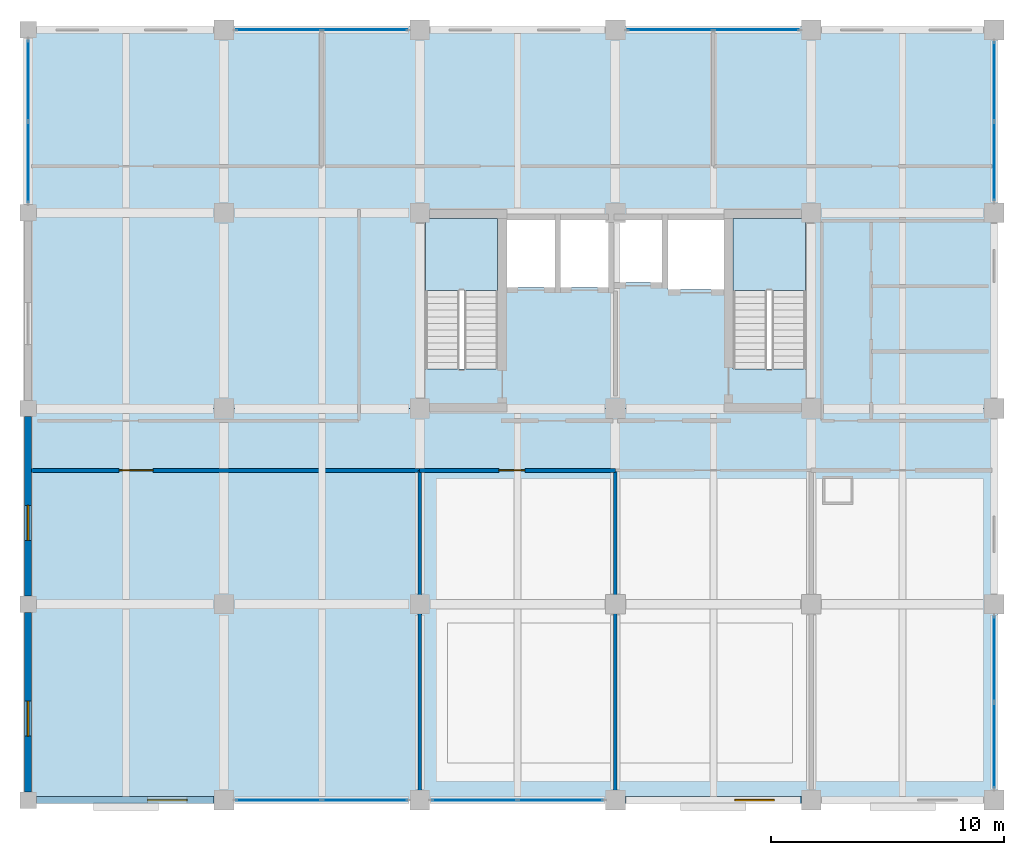
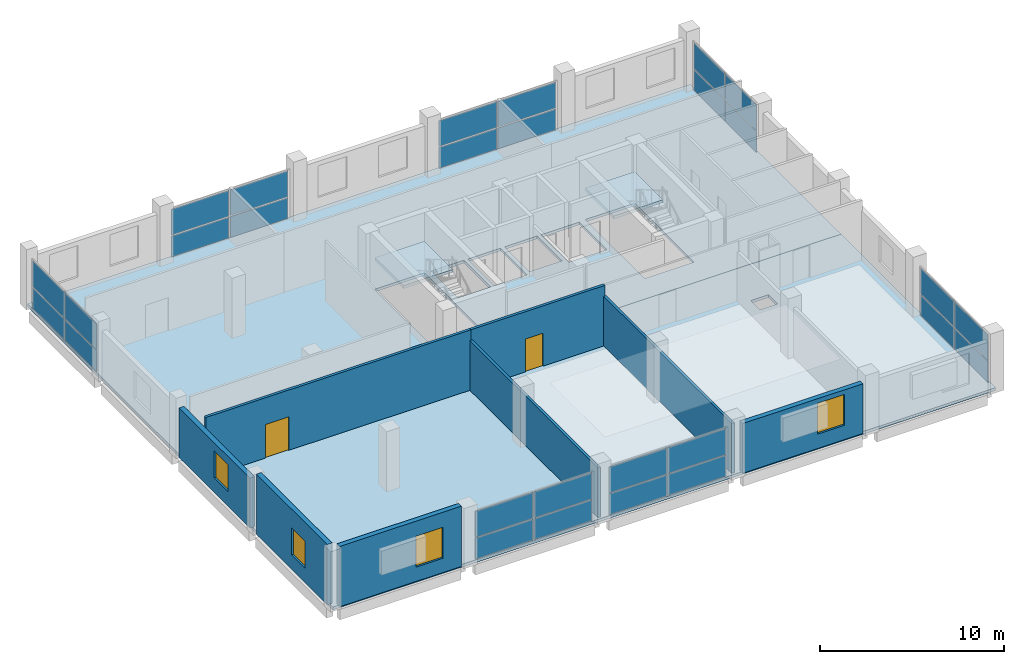
# One storey, part 6 of 11: 28 plates, 8 walls, 4 slabs, 4 windows, 2 doors, 6 openings, 9 elements without a shape of their own.
"""IFC4 building model written with IfcOpenShell, lengths in metres."""

import ifcopenshell
import ifcopenshell.guid

model = None  # the IFC model being written
_history = None  # IfcOwnerHistory: only IFC2X3 demands one
_inside = {}  # id of a spatial element -> (the spatial element, [elements in it])
_under = {}  # id of a project, library or spatial element -> (it, [spatial elements below it])
_declared = {}  # id of a project -> (the project, [libraries it declares])
_typed = {}  # id of a type object -> (the type object, [elements of that type])
_made_of = {}  # id of a material, layer set ... -> (it, [elements and type objects made of it])


def new_model(schema):
    """Start an empty IFC model of exactly this schema.

    Asked for "IFC4X3", IfcOpenShell would pick the latest addendum, in which some entities
    have other attributes; the version numbers below select the first issue.
    IFC2X3 requires an IfcOwnerHistory on every rooted entity: one is made here for all.
    """
    global model, _history
    if schema == "IFC4X3":
        model = ifcopenshell.file(schema_version=(4, 3, 0, 0))
    else:
        model = ifcopenshell.file(schema=schema)
    _inside.clear()
    _under.clear()
    _declared.clear()
    _typed.clear()
    _made_of.clear()
    _history = None
    if model.schema == "IFC2X3":
        org = make("IfcOrganization", Name="unknown")
        user = make(
            "IfcPersonAndOrganization",
            ThePerson=make("IfcPerson", FamilyName="unknown"),
            TheOrganization=org,
        )
        app = make(
            "IfcApplication",
            ApplicationDeveloper=org,
            Version="unknown",
            ApplicationFullName="unknown",
            ApplicationIdentifier="unknown",
        )
        _history = make(
            "IfcOwnerHistory",
            OwningUser=user,
            OwningApplication=app,
            ChangeAction="ADDED",
            CreationDate=0,
        )
    return model


def make(cls, **values):
    """One entity of the class cls with the attributes given. An attribute that is None is left unset."""
    return model.create_entity(
        cls, **{name: value for name, value in values.items() if value is not None}
    )


def rooted(cls, **values):
    """An entity with a GlobalId (a new one), such as an element, a storey or a relation."""
    return make(cls, GlobalId=ifcopenshell.guid.new(), OwnerHistory=_history, **values)


def si_unit(unit_type, name, prefix=None):
    """IfcSIUnit, for example si_unit("LENGTHUNIT", "METRE", prefix="MILLI")."""
    return make("IfcSIUnit", UnitType=unit_type, Prefix=prefix, Name=name)


def assignment(units):
    """IfcUnitAssignment: the units of a project."""
    return None if units is None else make("IfcUnitAssignment", Units=units)


def point(xyz):
    """IfcCartesianPoint."""
    return None if xyz is None else make("IfcCartesianPoint", Coordinates=xyz)


def direction(xyz):
    """IfcDirection."""
    return None if xyz is None else make("IfcDirection", DirectionRatios=xyz)


def frame(location, z_axis=None, x_axis=None):
    """IfcAxis2Placement3D, a coordinate frame: its origin and axes. An axis left out is left unset."""
    return make(
        "IfcAxis2Placement3D",
        Location=point(location),
        Axis=direction(z_axis),
        RefDirection=direction(x_axis),
    )


def frame_2d(location, x_axis=None):
    """IfcAxis2Placement2D, a coordinate frame in the plane: its origin and x axis."""
    return make(
        "IfcAxis2Placement2D", Location=point(location), RefDirection=direction(x_axis)
    )


def origin():
    """The frame at (0, 0, 0) with its axes left unset."""
    return frame((0.0, 0.0, 0.0))


def origin_2d():
    """The frame at (0, 0) in the plane with its x axis left unset."""
    return frame_2d((0.0, 0.0))


def place(relative_to, where):
    """IfcLocalPlacement: puts the frame where relative to a parent placement (None: the world)."""
    return make(
        "IfcLocalPlacement", PlacementRelTo=relative_to, RelativePlacement=where
    )


def context(
    kind, dimensions, precision=None, world=None, true_north=None, identifier=None
):
    """IfcGeometricRepresentationContext, for example the 3D "Model" context."""
    return make(
        "IfcGeometricRepresentationContext",
        ContextIdentifier=identifier,
        ContextType=kind,
        CoordinateSpaceDimension=dimensions,
        Precision=precision,
        WorldCoordinateSystem=world,
        TrueNorth=true_north,
    )


def subcontext(parent, identifier, kind, view, scale=None):
    """IfcGeometricRepresentationSubContext, for example "Body" below "Model"."""
    return make(
        "IfcGeometricRepresentationSubContext",
        ContextIdentifier=identifier,
        ContextType=kind,
        ParentContext=parent,
        TargetScale=scale,
        TargetView=view,
    )


def project(units=None, contexts=None):
    """IfcProject with its units and contexts."""
    return rooted(
        "IfcProject",
        Name="project",
        RepresentationContexts=contexts,
        UnitsInContext=assignment(units),
    )


def spatial(cls, under=None, at=None, **own):
    """A site, building, storey or space (cls), placed at a placement, below another one or the project."""
    s = rooted(cls, ObjectPlacement=at, **own)
    if under is not None:
        _under.setdefault(under.id(), (under, []))[1].append(s)
    return s


def polyline(points):
    """IfcPolyline through the points."""
    return make("IfcPolyline", Points=[point(p) for p in points])


def profile(cls, at=None, kind="AREA", **sizes):
    """A parametric profile (cls). Its sizes go by their IFC names, for example OverallWidth=200.0."""
    return make(cls, ProfileType=kind, Position=at, **sizes)


def rectangle(**sizes):
    """IfcRectangleProfileDef."""
    return profile("IfcRectangleProfileDef", **sizes)


def outline(outer, holes=None, kind="AREA"):
    """IfcArbitraryClosedProfileDef: a profile drawn as a closed curve; with holes, ...WithVoids."""
    if holes is None:
        return make("IfcArbitraryClosedProfileDef", ProfileType=kind, OuterCurve=outer)
    return make(
        "IfcArbitraryProfileDefWithVoids",
        ProfileType=kind,
        OuterCurve=outer,
        InnerCurves=holes,
    )


def extrude(swept, where, along, depth):
    """IfcExtrudedAreaSolid: the profile swept, set in the frame where, extruded along a direction by depth."""
    return make(
        "IfcExtrudedAreaSolid",
        SweptArea=swept,
        Position=where,
        ExtrudedDirection=direction(along),
        Depth=depth,
    )


def shape(context_of_items, identifier, shape_type, items):
    """IfcShapeRepresentation: the items that make up one representation, for example the "Body"."""
    return make(
        "IfcShapeRepresentation",
        ContextOfItems=context_of_items,
        RepresentationIdentifier=identifier,
        RepresentationType=shape_type,
        Items=items,
    )


def material(Name=None, Category=None):
    """IfcMaterial."""
    return make("IfcMaterial", Name=Name, Category=Category)


def layer(
    of_material, thickness, ventilated=None, Name=None, Category=None, Priority=None
):
    """IfcMaterialLayer: one layer of a wall or slab, of a material (None: an air gap)."""
    return make(
        "IfcMaterialLayer",
        Material=of_material,
        LayerThickness=thickness,
        IsVentilated=ventilated,
        Name=Name,
        Category=Category,
        Priority=Priority,
    )


def layer_set(layers, Name=None):
    """IfcMaterialLayerSet."""
    return make("IfcMaterialLayerSet", MaterialLayers=layers, LayerSetName=Name)


def made_of(thing, what):
    """Note that an element or type object is made of a material, layer set ...; save() writes the relation."""
    if what is not None:
        _made_of.setdefault(what.id(), (what, []))[1].append(thing)
    return thing


def type_object(cls, material=None, **own):
    """A type object (cls), such as IfcWallType, which elements share."""
    return made_of(rooted(cls, **own), material)


def element(
    cls,
    number,
    at=None,
    inside=None,
    cuts=None,
    type_object=None,
    material=None,
    context=None,
    identifier="Body",
    shape_type=None,
    held_by="IfcProductDefinitionShape",
    body=None,
    shapes=None,
    **own,
):
    """One element of the class cls, such as IfcWall. Its Tag is "e" and its number.

    at: its placement. inside: the storey or other place that contains it. cuts: it is an
    opening in that element (IfcRelVoidsElement). A single representation is given by context,
    identifier, shape_type and body (its items); several are given by shapes. held_by: the class
    of the entity that holds the representations. save() writes the other relations.
    """
    e = rooted(cls, Tag="e%d" % number, ObjectPlacement=at, **own)
    if body is not None:
        shapes = [shape(context, identifier, shape_type, body)]
    if shapes is not None:
        e.Representation = make(held_by, Representations=shapes)
    if inside is not None:
        _inside.setdefault(inside.id(), (inside, []))[1].append(e)
    if cuts is not None:
        rooted(
            "IfcRelVoidsElement", RelatingBuildingElement=cuts, RelatedOpeningElement=e
        )
    if type_object is not None:
        _typed.setdefault(type_object.id(), (type_object, []))[1].append(e)
    return made_of(e, material)


def fill(opening, filler):
    """IfcRelFillsElement: the door or window that sits in an opening."""
    return rooted(
        "IfcRelFillsElement",
        RelatingOpeningElement=opening,
        RelatedBuildingElement=filler,
    )


def aggregate(whole, parts):
    """IfcRelAggregates: a whole, such as a stair, and the parts it consists of."""
    return rooted("IfcRelAggregates", RelatingObject=whole, RelatedObjects=parts)


def save(model, path):
    """Write the relations noted so far, then the file.

    IfcRelAggregates (storeys below a building ...), IfcRelContainedInSpatialStructure (elements
    in a storey), IfcRelDefinesByType, IfcRelAssociatesMaterial and IfcRelDeclares: one each for
    every whole, place, type object, material and project.
    """
    for whole, parts in _under.values():
        aggregate(whole, parts)
    for where, things in _inside.values():
        rooted(
            "IfcRelContainedInSpatialStructure",
            RelatedElements=things,
            RelatingStructure=where,
        )
    for kind, things in _typed.values():
        rooted("IfcRelDefinesByType", RelatedObjects=things, RelatingType=kind)
    for what, things in _made_of.values():
        rooted("IfcRelAssociatesMaterial", RelatedObjects=things, RelatingMaterial=what)
    for by, libraries in _declared.values():
        rooted("IfcRelDeclares", RelatingContext=by, RelatedDefinitions=libraries)
    model.write(path)


model = new_model("IFC4")

# Units and contexts
model_context = context("Model", 3, precision=1e-05, world=origin(), true_north=direction((0.0, 1.0)))
body_context = subcontext(model_context, "Body", "Model", "MODEL_VIEW")
ifc_project = project(units=[si_unit("LENGTHUNIT", "METRE"), si_unit("AREAUNIT", "SQUARE_METRE"), si_unit("VOLUMEUNIT", "CUBIC_METRE"), si_unit("PLANEANGLEUNIT", "RADIAN"), si_unit("MASSUNIT", "GRAM", prefix="KILO")], contexts=[model_context])

# Site, building, storey
site_placement = place(None, origin())
site = spatial("IfcSite", under=ifc_project, at=site_placement, CompositionType="ELEMENT")
building_placement = place(site_placement, origin())
building = spatial("IfcBuilding", under=site, at=building_placement, Name="Brinegate Botanical Conservatory", CompositionType="ELEMENT")
storey_placement = place(building_placement, frame((0.0, 0.0, 23.39990234375)))
storey = spatial("IfcBuildingStorey", under=building, at=storey_placement, Name="L06", CompositionType="ELEMENT", Elevation=23.39990234375)

# Curtain wall, plates
ifc_material_1 = material(Name="Thermally broken anodised aluminium AW-6063-T6", Category="aluminium")
curtain_wall_type = type_object("IfcCurtainWallType", Name="CW_CW-TW1", PredefinedType="USERDEFINED", material=ifc_material_1)
curtain_wall_1_placement = place(storey_placement, origin())
curtain_wall_1 = element("IfcCurtainWall", 1, at=curtain_wall_1_placement, inside=storey, type_object=curtain_wall_type, Name="Research lab north curtain wall L06.2", ObjectType="FACTORY CURTAIN WALL", PredefinedType="USERDEFINED")
ifc_material_2 = material(Name="Double-silver Low-E laminated safety glass", Category="glass")
ifc_layer_1 = layer(ifc_material_2, 0.035888671875, Name="Double-silver Low-E laminated safety glass", Category="glass")
ifc_layer_set_1 = layer_set([ifc_layer_1], Name="Double-silver Low-E laminated safety glass")
plate_type = type_object("IfcPlateType", Name="Plate_PN-36", PredefinedType="CURTAIN_PANEL", material=ifc_layer_set_1)
plate_1_placement = place(storey_placement, frame((132.75, 111.449951171875, 0.070068359375), z_axis=(0.0, 0.0, 1.0), x_axis=(1.0, 0.0, 0.0)))
plate_1 = element("IfcPlate", 2, at=plate_1_placement, type_object=plate_type, Name="CW-TW1 panel 1.1", PredefinedType="CURTAIN_PANEL", context=body_context, shape_type="SweptSolid", body=[
    extrude(rectangle(XDim=3.6298828125, YDim=0.035888671875, at=origin_2d()), origin(), (0.0, 0.0, 1.0), 1.3798828125),
])
plate_2_placement = place(storey_placement, frame((132.75, 111.449951171875, 1.52001953125), z_axis=(0.0, 0.0, 1.0), x_axis=(1.0, 0.0, 0.0)))
plate_2 = element("IfcPlate", 3, at=plate_2_placement, type_object=plate_type, Name="CW-TW1 panel 1.2", PredefinedType="CURTAIN_PANEL", context=body_context, shape_type="SweptSolid", body=[
    extrude(rectangle(XDim=3.6298828125, YDim=0.035888671875, at=origin_2d()), origin(), (0.0, 0.0, 1.0), 1.7099609375),
])
plate_3_placement = place(storey_placement, frame((136.449951171875, 111.449951171875, 0.070068359375), z_axis=(0.0, 0.0, 1.0), x_axis=(1.0, 0.0, 0.0)))
plate_3 = element("IfcPlate", 4, at=plate_3_placement, type_object=plate_type, Name="CW-TW1 panel 2.1", PredefinedType="CURTAIN_PANEL", context=body_context, shape_type="SweptSolid", body=[
    extrude(rectangle(XDim=3.6298828125, YDim=0.035888671875, at=origin_2d()), origin(), (0.0, 0.0, 1.0), 1.3798828125),
])
plate_4_placement = place(storey_placement, frame((136.449951171875, 111.449951171875, 1.52001953125), z_axis=(0.0, 0.0, 1.0), x_axis=(1.0, 0.0, 0.0)))
plate_4 = element("IfcPlate", 5, at=plate_4_placement, type_object=plate_type, Name="CW-TW1 panel 2.2", PredefinedType="CURTAIN_PANEL", context=body_context, shape_type="SweptSolid", body=[
    extrude(rectangle(XDim=3.6298828125, YDim=0.035888671875, at=origin_2d()), origin(), (0.0, 0.0, 1.0), 1.7099609375),
])
aggregate(curtain_wall_1, [plate_1, plate_2, plate_3, plate_4])

curtain_wall_2_placement = place(storey_placement, origin())
curtain_wall_2 = element("IfcCurtainWall", 6, at=curtain_wall_2_placement, inside=storey, type_object=curtain_wall_type, Name="Research lab north curtain wall L06.4", ObjectType="FACTORY CURTAIN WALL", PredefinedType="USERDEFINED")
plate_5_placement = place(storey_placement, frame((149.550048828125, 111.449951171875, 0.070068359375), z_axis=(0.0, 0.0, 1.0), x_axis=(1.0, 0.0, 0.0)))
plate_5 = element("IfcPlate", 7, at=plate_5_placement, type_object=plate_type, Name="CW-TW1 panel 1.1", PredefinedType="CURTAIN_PANEL", context=body_context, shape_type="SweptSolid", body=[
    extrude(rectangle(XDim=3.6298828125, YDim=0.035888671875, at=origin_2d()), origin(), (0.0, 0.0, 1.0), 1.3798828125),
])
plate_6_placement = place(storey_placement, frame((149.550048828125, 111.449951171875, 1.52001953125), z_axis=(0.0, 0.0, 1.0), x_axis=(1.0, 0.0, 0.0)))
plate_6 = element("IfcPlate", 8, at=plate_6_placement, type_object=plate_type, Name="CW-TW1 panel 1.2", PredefinedType="CURTAIN_PANEL", context=body_context, shape_type="SweptSolid", body=[
    extrude(rectangle(XDim=3.6298828125, YDim=0.035888671875, at=origin_2d()), origin(), (0.0, 0.0, 1.0), 1.7099609375),
])
plate_7_placement = place(storey_placement, frame((153.25, 111.449951171875, 0.070068359375), z_axis=(0.0, 0.0, 1.0), x_axis=(1.0, 0.0, 0.0)))
plate_7 = element("IfcPlate", 9, at=plate_7_placement, type_object=plate_type, Name="CW-TW1 panel 2.1", PredefinedType="CURTAIN_PANEL", context=body_context, shape_type="SweptSolid", body=[
    extrude(rectangle(XDim=3.6298828125, YDim=0.035888671875, at=origin_2d()), origin(), (0.0, 0.0, 1.0), 1.3798828125),
])
plate_8_placement = place(storey_placement, frame((153.25, 111.449951171875, 1.52001953125), z_axis=(0.0, 0.0, 1.0), x_axis=(1.0, 0.0, 0.0)))
plate_8 = element("IfcPlate", 10, at=plate_8_placement, type_object=plate_type, Name="CW-TW1 panel 2.2", PredefinedType="CURTAIN_PANEL", context=body_context, shape_type="SweptSolid", body=[
    extrude(rectangle(XDim=3.6298828125, YDim=0.035888671875, at=origin_2d()), origin(), (0.0, 0.0, 1.0), 1.7099609375),
])
aggregate(curtain_wall_2, [plate_5, plate_6, plate_7, plate_8])

curtain_wall_3_placement = place(storey_placement, origin())
curtain_wall_3 = element("IfcCurtainWall", 11, at=curtain_wall_3_placement, inside=storey, type_object=curtain_wall_type, Name="Tower south curtain wall L06.2", ObjectType="FACTORY CURTAIN WALL", PredefinedType="USERDEFINED")
plate_9_placement = place(storey_placement, frame((136.449951171875, 78.39990234375, 0.070068359375), z_axis=(0.0, 0.0, 1.0), x_axis=(-1.0, 0.0, 0.0)))
plate_9 = element("IfcPlate", 12, at=plate_9_placement, type_object=plate_type, Name="CW-TW1 panel 1.1", PredefinedType="CURTAIN_PANEL", context=body_context, shape_type="SweptSolid", body=[
    extrude(rectangle(XDim=3.6298828125, YDim=0.035888671875, at=origin_2d()), origin(), (0.0, 0.0, 1.0), 1.3798828125),
])
plate_10_placement = place(storey_placement, frame((136.449951171875, 78.39990234375, 1.52001953125), z_axis=(0.0, 0.0, 1.0), x_axis=(-1.0, 0.0, 0.0)))
plate_10 = element("IfcPlate", 13, at=plate_10_placement, type_object=plate_type, Name="CW-TW1 panel 1.2", PredefinedType="CURTAIN_PANEL", context=body_context, shape_type="SweptSolid", body=[
    extrude(rectangle(XDim=3.6298828125, YDim=0.035888671875, at=origin_2d()), origin(), (0.0, 0.0, 1.0), 1.7099609375),
])
plate_11_placement = place(storey_placement, frame((132.75, 78.39990234375, 0.070068359375), z_axis=(0.0, 0.0, 1.0), x_axis=(-1.0, 0.0, 0.0)))
plate_11 = element("IfcPlate", 14, at=plate_11_placement, type_object=plate_type, Name="CW-TW1 panel 2.1", PredefinedType="CURTAIN_PANEL", context=body_context, shape_type="SweptSolid", body=[
    extrude(rectangle(XDim=3.6298828125, YDim=0.035888671875, at=origin_2d()), origin(), (0.0, 0.0, 1.0), 1.3798828125),
])
plate_12_placement = place(storey_placement, frame((132.75, 78.39990234375, 1.52001953125), z_axis=(0.0, 0.0, 1.0), x_axis=(-1.0, 0.0, 0.0)))
plate_12 = element("IfcPlate", 15, at=plate_12_placement, type_object=plate_type, Name="CW-TW1 panel 2.2", PredefinedType="CURTAIN_PANEL", context=body_context, shape_type="SweptSolid", body=[
    extrude(rectangle(XDim=3.6298828125, YDim=0.035888671875, at=origin_2d()), origin(), (0.0, 0.0, 1.0), 1.7099609375),
])
aggregate(curtain_wall_3, [plate_9, plate_10, plate_11, plate_12])

curtain_wall_4_placement = place(storey_placement, origin())
curtain_wall_4 = element("IfcCurtainWall", 16, at=curtain_wall_4_placement, inside=storey, type_object=curtain_wall_type, Name="Tower south curtain wall L06.3", ObjectType="FACTORY CURTAIN WALL", PredefinedType="USERDEFINED")
plate_13_placement = place(storey_placement, frame((144.85009765625, 78.39990234375, 0.070068359375), z_axis=(0.0, 0.0, 1.0), x_axis=(-1.0, 0.0, 0.0)))
plate_13 = element("IfcPlate", 17, at=plate_13_placement, type_object=plate_type, Name="CW-TW1 panel 1.1", PredefinedType="CURTAIN_PANEL", context=body_context, shape_type="SweptSolid", body=[
    extrude(rectangle(XDim=3.6298828125, YDim=0.035888671875, at=origin_2d()), origin(), (0.0, 0.0, 1.0), 1.3798828125),
])
plate_14_placement = place(storey_placement, frame((144.85009765625, 78.39990234375, 1.52001953125), z_axis=(0.0, 0.0, 1.0), x_axis=(-1.0, 0.0, 0.0)))
plate_14 = element("IfcPlate", 18, at=plate_14_placement, type_object=plate_type, Name="CW-TW1 panel 1.2", PredefinedType="CURTAIN_PANEL", context=body_context, shape_type="SweptSolid", body=[
    extrude(rectangle(XDim=3.6298828125, YDim=0.035888671875, at=origin_2d()), origin(), (0.0, 0.0, 1.0), 1.7099609375),
])
plate_15_placement = place(storey_placement, frame((141.14990234375, 78.39990234375, 0.070068359375), z_axis=(0.0, 0.0, 1.0), x_axis=(-1.0, 0.0, 0.0)))
plate_15 = element("IfcPlate", 19, at=plate_15_placement, type_object=plate_type, Name="CW-TW1 panel 2.1", PredefinedType="CURTAIN_PANEL", context=body_context, shape_type="SweptSolid", body=[
    extrude(rectangle(XDim=3.6298828125, YDim=0.035888671875, at=origin_2d()), origin(), (0.0, 0.0, 1.0), 1.3798828125),
])
plate_16_placement = place(storey_placement, frame((141.14990234375, 78.39990234375, 1.52001953125), z_axis=(0.0, 0.0, 1.0), x_axis=(-1.0, 0.0, 0.0)))
plate_16 = element("IfcPlate", 20, at=plate_16_placement, type_object=plate_type, Name="CW-TW1 panel 2.2", PredefinedType="CURTAIN_PANEL", context=body_context, shape_type="SweptSolid", body=[
    extrude(rectangle(XDim=3.6298828125, YDim=0.035888671875, at=origin_2d()), origin(), (0.0, 0.0, 1.0), 1.7099609375),
])
aggregate(curtain_wall_4, [plate_13, plate_14, plate_15, plate_16])

curtain_wall_5_placement = place(storey_placement, origin())
curtain_wall_5 = element("IfcCurtainWall", 21, at=curtain_wall_5_placement, inside=storey, type_object=curtain_wall_type, Name="Tower east curtain wall L06.1", ObjectType="FACTORY CURTAIN WALL", PredefinedType="USERDEFINED")
plate_17_placement = place(storey_placement, frame((163.449951171875, 84.449951171875, 0.070068359375), z_axis=(0.0, 0.0, 1.0), x_axis=(0.0, -1.0, 0.0)))
plate_17 = element("IfcPlate", 22, at=plate_17_placement, type_object=plate_type, Name="CW-TW1 panel 1.1", PredefinedType="CURTAIN_PANEL", context=body_context, shape_type="SweptSolid", body=[
    extrude(rectangle(XDim=3.6298828125, YDim=0.035888671875, at=origin_2d()), origin(), (0.0, 0.0, 1.0), 1.3798828125),
])
plate_18_placement = place(storey_placement, frame((163.449951171875, 84.449951171875, 1.52001953125), z_axis=(0.0, 0.0, 1.0), x_axis=(0.0, -1.0, 0.0)))
plate_18 = element("IfcPlate", 23, at=plate_18_placement, type_object=plate_type, Name="CW-TW1 panel 1.2", PredefinedType="CURTAIN_PANEL", context=body_context, shape_type="SweptSolid", body=[
    extrude(rectangle(XDim=3.6298828125, YDim=0.035888671875, at=origin_2d()), origin(), (0.0, 0.0, 1.0), 1.7099609375),
])
plate_19_placement = place(storey_placement, frame((163.449951171875, 80.75, 0.070068359375), z_axis=(0.0, 0.0, 1.0), x_axis=(0.0, -1.0, 0.0)))
plate_19 = element("IfcPlate", 24, at=plate_19_placement, type_object=plate_type, Name="CW-TW1 panel 2.1", PredefinedType="CURTAIN_PANEL", context=body_context, shape_type="SweptSolid", body=[
    extrude(rectangle(XDim=3.6298828125, YDim=0.035888671875, at=origin_2d()), origin(), (0.0, 0.0, 1.0), 1.3798828125),
])
plate_20_placement = place(storey_placement, frame((163.449951171875, 80.75, 1.52001953125), z_axis=(0.0, 0.0, 1.0), x_axis=(0.0, -1.0, 0.0)))
plate_20 = element("IfcPlate", 25, at=plate_20_placement, type_object=plate_type, Name="CW-TW1 panel 2.2", PredefinedType="CURTAIN_PANEL", context=body_context, shape_type="SweptSolid", body=[
    extrude(rectangle(XDim=3.6298828125, YDim=0.035888671875, at=origin_2d()), origin(), (0.0, 0.0, 1.0), 1.7099609375),
])
aggregate(curtain_wall_5, [plate_17, plate_18, plate_19, plate_20])

curtain_wall_6_placement = place(storey_placement, origin())
curtain_wall_6 = element("IfcCurtainWall", 26, at=curtain_wall_6_placement, inside=storey, type_object=curtain_wall_type, Name="Tower east curtain wall L06.4", ObjectType="FACTORY CURTAIN WALL", PredefinedType="USERDEFINED")
plate_21_placement = place(storey_placement, frame((163.449951171875, 109.237548828125, 0.070068359375), z_axis=(0.0, 0.0, 1.0), x_axis=(0.0, -1.0, 0.0)))
plate_21 = element("IfcPlate", 27, at=plate_21_placement, type_object=plate_type, Name="CW-TW1 panel 1.1", PredefinedType="CURTAIN_PANEL", context=body_context, shape_type="SweptSolid", body=[
    extrude(rectangle(XDim=3.35498046875, YDim=0.035888671875, at=origin_2d()), origin(), (0.0, 0.0, 1.0), 1.3798828125),
])
plate_22_placement = place(storey_placement, frame((163.449951171875, 109.237548828125, 1.52001953125), z_axis=(0.0, 0.0, 1.0), x_axis=(0.0, -1.0, 0.0)))
plate_22 = element("IfcPlate", 28, at=plate_22_placement, type_object=plate_type, Name="CW-TW1 panel 1.2", PredefinedType="CURTAIN_PANEL", context=body_context, shape_type="SweptSolid", body=[
    extrude(rectangle(XDim=3.35498046875, YDim=0.035888671875, at=origin_2d()), origin(), (0.0, 0.0, 1.0), 1.7099609375),
])
plate_23_placement = place(storey_placement, frame((163.449951171875, 105.8125, 0.070068359375), z_axis=(0.0, 0.0, 1.0), x_axis=(0.0, -1.0, 0.0)))
plate_23 = element("IfcPlate", 29, at=plate_23_placement, type_object=plate_type, Name="CW-TW1 panel 2.1", PredefinedType="CURTAIN_PANEL", context=body_context, shape_type="SweptSolid", body=[
    extrude(rectangle(XDim=3.35498046875, YDim=0.035888671875, at=origin_2d()), origin(), (0.0, 0.0, 1.0), 1.3798828125),
])
plate_24_placement = place(storey_placement, frame((163.449951171875, 105.8125, 1.52001953125), z_axis=(0.0, 0.0, 1.0), x_axis=(0.0, -1.0, 0.0)))
plate_24 = element("IfcPlate", 30, at=plate_24_placement, type_object=plate_type, Name="CW-TW1 panel 2.2", PredefinedType="CURTAIN_PANEL", context=body_context, shape_type="SweptSolid", body=[
    extrude(rectangle(XDim=3.35498046875, YDim=0.035888671875, at=origin_2d()), origin(), (0.0, 0.0, 1.0), 1.7099609375),
])
aggregate(curtain_wall_6, [plate_21, plate_22, plate_23, plate_24])

curtain_wall_7_placement = place(storey_placement, origin())
curtain_wall_7 = element("IfcCurtainWall", 31, at=curtain_wall_7_placement, inside=storey, type_object=curtain_wall_type, Name="Tower north-west curtain wall L06", ObjectType="FACTORY CURTAIN WALL", PredefinedType="USERDEFINED")
plate_25_placement = place(storey_placement, frame((122.0, 105.77490234375, 0.070068359375), z_axis=(0.0, 0.0, 1.0), x_axis=(0.0, 1.0, 0.0)))
plate_25 = element("IfcPlate", 32, at=plate_25_placement, type_object=plate_type, Name="CW-TW1 panel 1.1", PredefinedType="CURTAIN_PANEL", context=body_context, shape_type="SweptSolid", body=[
    extrude(rectangle(XDim=3.429931640625, YDim=0.035888671875, at=origin_2d()), origin(), (0.0, 0.0, 1.0), 1.3798828125),
])
plate_26_placement = place(storey_placement, frame((122.0, 105.77490234375, 1.52001953125), z_axis=(0.0, 0.0, 1.0), x_axis=(0.0, 1.0, 0.0)))
plate_26 = element("IfcPlate", 33, at=plate_26_placement, type_object=plate_type, Name="CW-TW1 panel 1.2", PredefinedType="CURTAIN_PANEL", context=body_context, shape_type="SweptSolid", body=[
    extrude(rectangle(XDim=3.429931640625, YDim=0.035888671875, at=origin_2d()), origin(), (0.0, 0.0, 1.0), 1.7099609375),
])
plate_27_placement = place(storey_placement, frame((122.0, 109.27490234375, 0.070068359375), z_axis=(0.0, 0.0, 1.0), x_axis=(0.0, 1.0, 0.0)))
plate_27 = element("IfcPlate", 34, at=plate_27_placement, type_object=plate_type, Name="CW-TW1 panel 2.1", PredefinedType="CURTAIN_PANEL", context=body_context, shape_type="SweptSolid", body=[
    extrude(rectangle(XDim=3.429931640625, YDim=0.035888671875, at=origin_2d()), origin(), (0.0, 0.0, 1.0), 1.3798828125),
])
plate_28_placement = place(storey_placement, frame((122.0, 109.27490234375, 1.52001953125), z_axis=(0.0, 0.0, 1.0), x_axis=(0.0, 1.0, 0.0)))
plate_28 = element("IfcPlate", 35, at=plate_28_placement, type_object=plate_type, Name="CW-TW1 panel 2.2", PredefinedType="CURTAIN_PANEL", context=body_context, shape_type="SweptSolid", body=[
    extrude(rectangle(XDim=3.429931640625, YDim=0.035888671875, at=origin_2d()), origin(), (0.0, 0.0, 1.0), 1.7099609375),
])
aggregate(curtain_wall_7, [plate_25, plate_26, plate_27, plate_28])

# Slabs
ifc_material_3 = material(Name="Concrete C40/50", Category="concrete")
ifc_layer_2 = layer(ifc_material_3, 0.179931640625, Name="Concrete C40/50", Category="concrete")
ifc_layer_set_2 = layer_set([ifc_layer_2], Name="Concrete C40/50")
slab_type_1 = type_object("IfcSlabType", Name="Slab_SL-FL180", PredefinedType="FLOOR", material=ifc_layer_set_2)
slab_1_placement = place(storey_placement, frame((0.0, 0.0, -0.179931640625)))
element("IfcSlab", 36, at=slab_1_placement, inside=storey, type_object=slab_type_1, Name="Research Tower L06 north structural floor slab", PredefinedType="FLOOR", context=body_context, shape_type="SweptSolid", body=[
    extrude(outline(polyline([(122.0, 111.60009765625), (163.60009765625, 111.60009765625), (163.60009765625, 95.199951171875), (122.0, 95.199951171875), (122.0, 111.60009765625)]), holes=[polyline([(142.14990234375, 96.89990234375), (142.14990234375, 103.35009765625), (139.050048828125, 103.35009765625), (139.050048828125, 96.89990234375), (142.14990234375, 96.89990234375)]), polyline([(155.35009765625, 96.89990234375), (155.35009765625, 103.35009765625), (152.25, 103.35009765625), (152.25, 96.89990234375), (155.35009765625, 96.89990234375)]), polyline([(142.550048828125, 100.39990234375), (144.60009765625, 100.39990234375), (144.60009765625, 103.300048828125), (142.550048828125, 103.300048828125), (142.550048828125, 100.39990234375)]), polyline([(144.85009765625, 100.39990234375), (146.89990234375, 100.39990234375), (146.89990234375, 103.300048828125), (144.85009765625, 103.300048828125), (144.85009765625, 100.39990234375)]), polyline([(147.14990234375, 100.60009765625), (149.199951171875, 100.60009765625), (149.199951171875, 103.300048828125), (147.14990234375, 103.300048828125), (147.14990234375, 100.60009765625)]), polyline([(149.449951171875, 100.300048828125), (151.85009765625, 100.300048828125), (151.85009765625, 103.300048828125), (149.449951171875, 103.300048828125), (149.449951171875, 100.300048828125)])]), origin(), (0.0, 0.0, 1.0), 0.179931640625),
])
ifc_layer_3 = layer(ifc_material_3, 0.18505859375, Name="Concrete C40/50", Category="concrete")
ifc_layer_set_3 = layer_set([ifc_layer_3], Name="Concrete C40/50")
slab_type_2 = type_object("IfcSlabType", Name="Slab_SL-FL185", PredefinedType="FLOOR", material=ifc_layer_set_3)
slab_2_placement = place(storey_placement, frame((0.0, 0.0, -0.184814453125)))
element("IfcSlab", 37, at=slab_2_placement, inside=storey, type_object=slab_type_2, Name="Research Tower L06 south structural floor slab", PredefinedType="FLOOR", context=body_context, shape_type="SweptSolid", body=[
    extrude(outline(polyline([(163.60009765625, 78.39990234375), (122.0, 78.39990234375), (122.0, 95.199951171875), (163.60009765625, 95.199951171875), (163.60009765625, 78.39990234375)]), holes=[polyline([(156.199951171875, 91.199951171875), (157.300048828125, 91.199951171875), (157.300048828125, 92.199951171875), (156.199951171875, 92.199951171875), (156.199951171875, 91.199951171875)])]), origin(), (0.0, 0.0, 1.0), 0.184814453125),
])

# Stair, slab
stair_type = type_object("IfcStairType", Name="Stair_HT-4200", PredefinedType="HALF_TURN_STAIR", material=ifc_material_3)
stair_1_placement = place(storey_placement, origin())
stair_1 = element("IfcStair", 38, at=stair_1_placement, inside=storey, type_object=stair_type, Name="L06 Tower West Smoke-Proof Stair ST1", PredefinedType="HALF_TURN_STAIR")
ifc_layer_4 = layer(ifc_material_3, 0.199951171875, Name="Concrete C40/50", Category="concrete")
ifc_layer_set_4 = layer_set([ifc_layer_4], Name="Concrete C40/50")
slab_type_3 = type_object("IfcSlabType", Name="Slab_SL-LD200", PredefinedType="LANDING", material=ifc_layer_set_4)
slab_3_placement = place(storey_placement, frame((0.0, 0.0, 1.900146484375)))
slab_3 = element("IfcSlab", 39, at=slab_3_placement, type_object=slab_type_3, Name="ST1 landing 1", PredefinedType="LANDING", context=body_context, shape_type="SweptSolid", body=[
    extrude(outline(polyline([(142.14990234375, 100.260009765625), (142.14990234375, 103.35009765625), (139.050048828125, 103.35009765625), (139.050048828125, 100.260009765625), (142.14990234375, 100.260009765625)])), origin(), (0.0, 0.0, 1.0), 0.199951171875),
])
aggregate(stair_1, [slab_3])

stair_2_placement = place(storey_placement, origin())
stair_2 = element("IfcStair", 40, at=stair_2_placement, inside=storey, type_object=stair_type, Name="L06 Tower East Smoke-Proof Stair ST2", PredefinedType="HALF_TURN_STAIR")
slab_4_placement = place(storey_placement, frame((0.0, 0.0, 1.900146484375)))
slab_4 = element("IfcSlab", 41, at=slab_4_placement, type_object=slab_type_3, Name="ST2 landing 1", PredefinedType="LANDING", context=body_context, shape_type="SweptSolid", body=[
    extrude(outline(polyline([(155.35009765625, 100.260009765625), (155.35009765625, 103.35009765625), (152.25, 103.35009765625), (152.25, 100.260009765625), (155.35009765625, 100.260009765625)])), origin(), (0.0, 0.0, 1.0), 0.199951171875),
])
aggregate(stair_2, [slab_4])

# Wall, opening, window
ifc_material_4 = material(Name="Insulated Minnan red clay brick masonry", Category="masonry")
ifc_layer_5 = layer(ifc_material_4, 0.300048828125, Name="Insulated Minnan red clay brick masonry", Category="masonry")
ifc_layer_set_5 = layer_set([ifc_layer_5], Name="Insulated Minnan red clay brick masonry")
wall_type_1 = type_object("IfcWallType", Name="Wall_EW-300B", PredefinedType="STANDARD", material=ifc_layer_set_5)
wall_1_placement = place(storey_placement, frame((129.97509765625, 78.39990234375, 0.0), z_axis=(0.0, 0.0, 1.0), x_axis=(-1.0, 0.0, 0.0)))
wall_1 = element("IfcWall", 42, at=wall_1_placement, inside=storey, type_object=wall_type_1, Name="Tower south facade wall L06.1", PredefinedType="STANDARD", context=body_context, shape_type="SweptSolid", body=[
    extrude(rectangle(XDim=7.625, YDim=0.300048828125, at=frame_2d((3.8125, 0.0))), origin(), (0.0, 0.0, 1.0), 4.0),
])
opening_1_placement = place(wall_1_placement, frame((1.14990234375, 0.0, 0.949951171875)))
opening_1 = element("IfcOpeningElement", 43, at=opening_1_placement, cuts=wall_1, Name="Opening WN-21", PredefinedType="OPENING", context=body_context, shape_type="SweptSolid", body=[
    extrude(rectangle(XDim=1.699951171875, YDim=2.050048828125, at=frame_2d((0.85009765625, 1.02490234375))), frame((0.0, 0.159912109375, 0.0), z_axis=(0.0, -1.0, 0.0), x_axis=(1.0, 0.0, 0.0)), (0.0, 0.0, 1.0), 0.320068359375),
])
ifc_material_5 = material(Name="Thermally broken aluminium-framed Low-E glass", Category="aluminium")
window_type_1 = type_object("IfcWindowType", Name="Win_WN-21", PartitioningType="DOUBLE_PANEL_VERTICAL", PredefinedType="WINDOW", material=ifc_material_5)
window_1_placement = place(opening_1_placement, origin())
window_1 = element("IfcWindow", 44, at=window_1_placement, inside=storey, type_object=window_type_1, Name="Tower south window L06.1", OverallHeight=2.050048828125, OverallWidth=1.699951171875, PartitioningType="DOUBLE_PANEL_VERTICAL", PredefinedType="WINDOW", context=body_context, shape_type="SweptSolid", body=[
    extrude(rectangle(XDim=1.699951171875, YDim=2.050048828125, at=frame_2d((0.85009765625, 1.02490234375))), frame((0.0, 0.030029296875, 0.0), z_axis=(0.0, -1.0, 0.0), x_axis=(1.0, 0.0, 0.0)), (0.0, 0.0, 1.0), 0.06005859375),
])
fill(opening_1, window_1)

wall_2_placement = place(storey_placement, frame((155.175048828125, 78.39990234375, 0.0), z_axis=(0.0, 0.0, 1.0), x_axis=(-1.0, 0.0, 0.0)))
wall_2 = element("IfcWall", 45, at=wall_2_placement, inside=storey, type_object=wall_type_1, Name="Tower south facade wall L06.4", PredefinedType="STANDARD", context=body_context, shape_type="SweptSolid", body=[
    extrude(rectangle(XDim=7.550048828125, YDim=0.300048828125, at=frame_2d((3.77490234375, 0.0))), origin(), (0.0, 0.0, 1.0), 3.300048828125),
])
opening_2_placement = place(wall_2_placement, frame((1.14990234375, 0.0, 0.949951171875)))
opening_2 = element("IfcOpeningElement", 46, at=opening_2_placement, cuts=wall_2, Name="Opening WN-21", PredefinedType="OPENING", context=body_context, shape_type="SweptSolid", body=[
    extrude(rectangle(XDim=1.699951171875, YDim=2.050048828125, at=frame_2d((0.85009765625, 1.02490234375))), frame((0.0, 0.159912109375, 0.0), z_axis=(0.0, -1.0, 0.0), x_axis=(1.0, 0.0, 0.0)), (0.0, 0.0, 1.0), 0.320068359375),
])
window_2_placement = place(opening_2_placement, origin())
window_2 = element("IfcWindow", 47, at=window_2_placement, inside=storey, type_object=window_type_1, Name="Tower south window L06.4", OverallHeight=2.050048828125, OverallWidth=1.699951171875, PartitioningType="DOUBLE_PANEL_VERTICAL", PredefinedType="WINDOW", context=body_context, shape_type="SweptSolid", body=[
    extrude(rectangle(XDim=1.699951171875, YDim=2.050048828125, at=frame_2d((0.85009765625, 1.02490234375))), frame((0.0, 0.030029296875, 0.0), z_axis=(0.0, -1.0, 0.0), x_axis=(1.0, 0.0, 0.0)), (0.0, 0.0, 1.0), 0.06005859375),
])
fill(opening_2, window_2)

wall_3_placement = place(storey_placement, frame((122.0, 78.75, 0.0), z_axis=(0.0, 0.0, 1.0), x_axis=(0.0, 1.0, 0.0)))
wall_3 = element("IfcWall", 48, at=wall_3_placement, inside=storey, type_object=wall_type_1, Name="Tower west wall L06.S1", PredefinedType="STANDARD", context=body_context, shape_type="SweptSolid", body=[
    extrude(rectangle(XDim=7.699951171875, YDim=0.300048828125, at=frame_2d((3.85009765625, 0.0))), origin(), (0.0, 0.0, 1.0), 4.0),
])
opening_3_placement = place(wall_3_placement, frame((2.39990234375, 0.0, 0.949951171875)))
opening_3 = element("IfcOpeningElement", 49, at=opening_3_placement, cuts=wall_3, Name="Opening WN-04", PredefinedType="OPENING", context=body_context, shape_type="SweptSolid", body=[
    extrude(rectangle(XDim=1.5, YDim=1.800048828125, at=frame_2d((0.75, 0.89990234375))), frame((0.0, 0.159912109375, 0.0), z_axis=(0.0, -1.0, 0.0), x_axis=(1.0, 0.0, 0.0)), (0.0, 0.0, 1.0), 0.320068359375),
])
window_type_2 = type_object("IfcWindowType", Name="Win_WN-04", PartitioningType="DOUBLE_PANEL_VERTICAL", PredefinedType="WINDOW", material=ifc_material_5)
window_3_placement = place(opening_3_placement, origin())
window_3 = element("IfcWindow", 50, at=window_3_placement, inside=storey, type_object=window_type_2, Name="Tower west window L06.S1", OverallHeight=1.800048828125, OverallWidth=1.5, PartitioningType="DOUBLE_PANEL_VERTICAL", PredefinedType="WINDOW", context=body_context, shape_type="SweptSolid", body=[
    extrude(rectangle(XDim=1.5, YDim=1.800048828125, at=frame_2d((0.75, 0.89990234375))), frame((0.0, 0.030029296875, 0.0), z_axis=(0.0, -1.0, 0.0), x_axis=(1.0, 0.0, 0.0)), (0.0, 0.0, 1.0), 0.06005859375),
])
fill(opening_3, window_3)

wall_4_placement = place(storey_placement, frame((122.0, 87.14990234375, 0.0), z_axis=(0.0, 0.0, 1.0), x_axis=(0.0, 1.0, 0.0)))
wall_4 = element("IfcWall", 51, at=wall_4_placement, inside=storey, type_object=wall_type_1, Name="Tower west wall L06.S2", PredefinedType="STANDARD", context=body_context, shape_type="SweptSolid", body=[
    extrude(rectangle(XDim=7.7001953125, YDim=0.300048828125, at=frame_2d((3.85009765625, 0.0))), origin(), (0.0, 0.0, 1.0), 3.300048828125),
])
opening_4_placement = place(wall_4_placement, frame((2.39990234375, 0.0, 0.949951171875)))
opening_4 = element("IfcOpeningElement", 52, at=opening_4_placement, cuts=wall_4, Name="Opening WN-04", PredefinedType="OPENING", context=body_context, shape_type="SweptSolid", body=[
    extrude(rectangle(XDim=1.5, YDim=1.800048828125, at=frame_2d((0.75, 0.89990234375))), frame((0.0, 0.159912109375, 0.0), z_axis=(0.0, -1.0, 0.0), x_axis=(1.0, 0.0, 0.0)), (0.0, 0.0, 1.0), 0.320068359375),
])
window_4_placement = place(opening_4_placement, origin())
window_4 = element("IfcWindow", 53, at=window_4_placement, inside=storey, type_object=window_type_2, Name="Tower west window L06.S2", OverallHeight=1.800048828125, OverallWidth=1.5, PartitioningType="DOUBLE_PANEL_VERTICAL", PredefinedType="WINDOW", context=body_context, shape_type="SweptSolid", body=[
    extrude(rectangle(XDim=1.5, YDim=1.800048828125, at=frame_2d((0.75, 0.89990234375))), frame((0.0, 0.030029296875, 0.0), z_axis=(0.0, -1.0, 0.0), x_axis=(1.0, 0.0, 0.0)), (0.0, 0.0, 1.0), 0.06005859375),
])
fill(opening_4, window_4)

# Walls
ifc_material_6 = material(Name="Moisture-resistant laboratory partition", Category="gypsum")
ifc_layer_6 = layer(ifc_material_6, 0.157958984375, Name="Moisture-resistant laboratory partition", Category="gypsum")
ifc_layer_set_6 = layer_set([ifc_layer_6], Name="Moisture-resistant laboratory partition")
wall_type_2 = type_object("IfcWallType", Name="Wall_PW-158", PredefinedType="PARTITIONING", material=ifc_layer_set_6)
for number, where, z_axis, x_axis, name in (
    (54, (138.800048828125, 78.550048828125, 0.0), (0.0, 0.0, 1.0), (0.0, 1.0, 0.0), "Interior partition P-L06-SDIV-S2"),
    (55, (147.199951171875, 78.550048828125, 0.0), (0.0, 0.0, 1.0), (0.0, 1.0, 0.0), "Interior partition P-L06-SDIV-S3"),
):
    element("IfcWall", number, at=place(storey_placement, frame(where, z_axis=z_axis, x_axis=x_axis)), inside=storey, type_object=wall_type_2, Name=name, PredefinedType="PARTITIONING", context=body_context, shape_type="SweptSolid", body=[
        extrude(rectangle(XDim=14.0, YDim=0.157958984375, at=frame_2d((7.0, 0.0))), origin(), (0.0, 0.0, 1.0), 3.300048828125),
    ])

# Wall, opening, door
ifc_material_7 = material(Name="Gypsum-clad acoustic steel-stud partition", Category="steel")
ifc_layer_7 = layer(ifc_material_7, 0.1650390625, Name="Gypsum-clad acoustic steel-stud partition", Category="steel")
ifc_layer_set_7 = layer_set([ifc_layer_7], Name="Gypsum-clad acoustic steel-stud partition")
wall_type_3 = type_object("IfcWallType", Name="Wall_PW-165", PredefinedType="PARTITIONING", material=ifc_layer_set_7)
wall_5_placement = place(storey_placement, frame((122.14990234375, 92.550048828125, 0.0), z_axis=(0.0, 0.0, 1.0), x_axis=(1.0, 0.0, 0.0)))
wall_5 = element("IfcWall", 56, at=wall_5_placement, inside=storey, type_object=wall_type_3, Name="Interior partition P-L06-SB-S1", PredefinedType="PARTITIONING", context=body_context, shape_type="SweptSolid", body=[
    extrude(rectangle(XDim=16.650146484375, YDim=0.1650390625, at=frame_2d((8.3251953125, 0.0))), origin(), (0.0, 0.0, 1.0), 4.0),
])
opening_5_placement = place(wall_5_placement, frame((3.75, 0.0, 0.0)))
opening_5 = element("IfcOpeningElement", 57, at=opening_5_placement, cuts=wall_5, Name="Opening DR-20", PredefinedType="OPENING", context=body_context, shape_type="SweptSolid", body=[
    extrude(rectangle(XDim=1.4599609375, YDim=2.219970703125, at=frame_2d((0.72998046875, 1.10986328125))), frame((0.0, 0.092529296875, 0.0), z_axis=(0.0, -1.0, 0.0), x_axis=(1.0, 0.0, 0.0)), (0.0, 0.0, 1.0), 0.18505859375),
])
ifc_material_8 = material(Name="Powder-coated steel lab door", Category="steel")
door_type_1 = type_object("IfcDoorType", Name="Door_DR-20", OperationType="NOTDEFINED", PredefinedType="DOOR", material=ifc_material_8)
door_1_placement = place(opening_5_placement, origin())
door_1 = element("IfcDoor", 58, at=door_1_placement, inside=storey, type_object=door_type_1, Name="DR-P-L06-SB-S1-1", OperationType="SINGLE_SWING_RIGHT", OverallHeight=2.219970703125, OverallWidth=1.4599609375, PredefinedType="DOOR", context=body_context, shape_type="SweptSolid", body=[
    extrude(rectangle(XDim=1.4599609375, YDim=2.219970703125, at=frame_2d((0.72998046875, 1.10986328125))), frame((0.0, 0.02490234375, 0.0), z_axis=(0.0, -1.0, 0.0), x_axis=(1.0, 0.0, 0.0)), (0.0, 0.0, 1.0), 0.050048828125),
])
fill(opening_5, door_1)

wall_6_placement = place(storey_placement, frame((138.800048828125, 92.550048828125, 0.0), z_axis=(0.0, 0.0, 1.0), x_axis=(1.0, 0.0, 0.0)))
wall_6 = element("IfcWall", 59, at=wall_6_placement, inside=storey, type_object=wall_type_3, Name="Interior partition P-L06-SB-S2", PredefinedType="PARTITIONING", context=body_context, shape_type="SweptSolid", body=[
    extrude(rectangle(XDim=8.39990234375, YDim=0.1650390625, at=frame_2d((4.199951171875, 0.0))), origin(), (0.0, 0.0, 1.0), 4.0),
])
opening_6_placement = place(wall_6_placement, frame((3.39990234375, 0.0, 0.0)))
opening_6 = element("IfcOpeningElement", 60, at=opening_6_placement, cuts=wall_6, Name="Opening DR-05", PredefinedType="OPENING", context=body_context, shape_type="SweptSolid", body=[
    extrude(rectangle(XDim=1.1201171875, YDim=2.179931640625, at=frame_2d((0.56005859375, 1.08984375))), frame((0.0, 0.092529296875, 0.0), z_axis=(0.0, -1.0, 0.0), x_axis=(1.0, 0.0, 0.0)), (0.0, 0.0, 1.0), 0.18505859375),
])
ifc_material_9 = material(Name="Phenolic-faced laboratory timber leaf", Category="wood")
door_type_2 = type_object("IfcDoorType", Name="Door_DR-05", OperationType="NOTDEFINED", PredefinedType="DOOR", material=ifc_material_9)
door_2_placement = place(opening_6_placement, origin())
door_2 = element("IfcDoor", 61, at=door_2_placement, inside=storey, type_object=door_type_2, Name="DR-P-L06-SB-S2-1", OperationType="SINGLE_SWING_LEFT", OverallHeight=2.179931640625, OverallWidth=1.1201171875, PredefinedType="DOOR", context=body_context, shape_type="SweptSolid", body=[
    extrude(rectangle(XDim=1.1201171875, YDim=2.179931640625, at=frame_2d((0.56005859375, 1.08984375))), frame((0.0, 0.02490234375, 0.0), z_axis=(0.0, -1.0, 0.0), x_axis=(1.0, 0.0, 0.0)), (0.0, 0.0, 1.0), 0.050048828125),
])
fill(opening_6, door_2)

save(model, "model.ifc")
